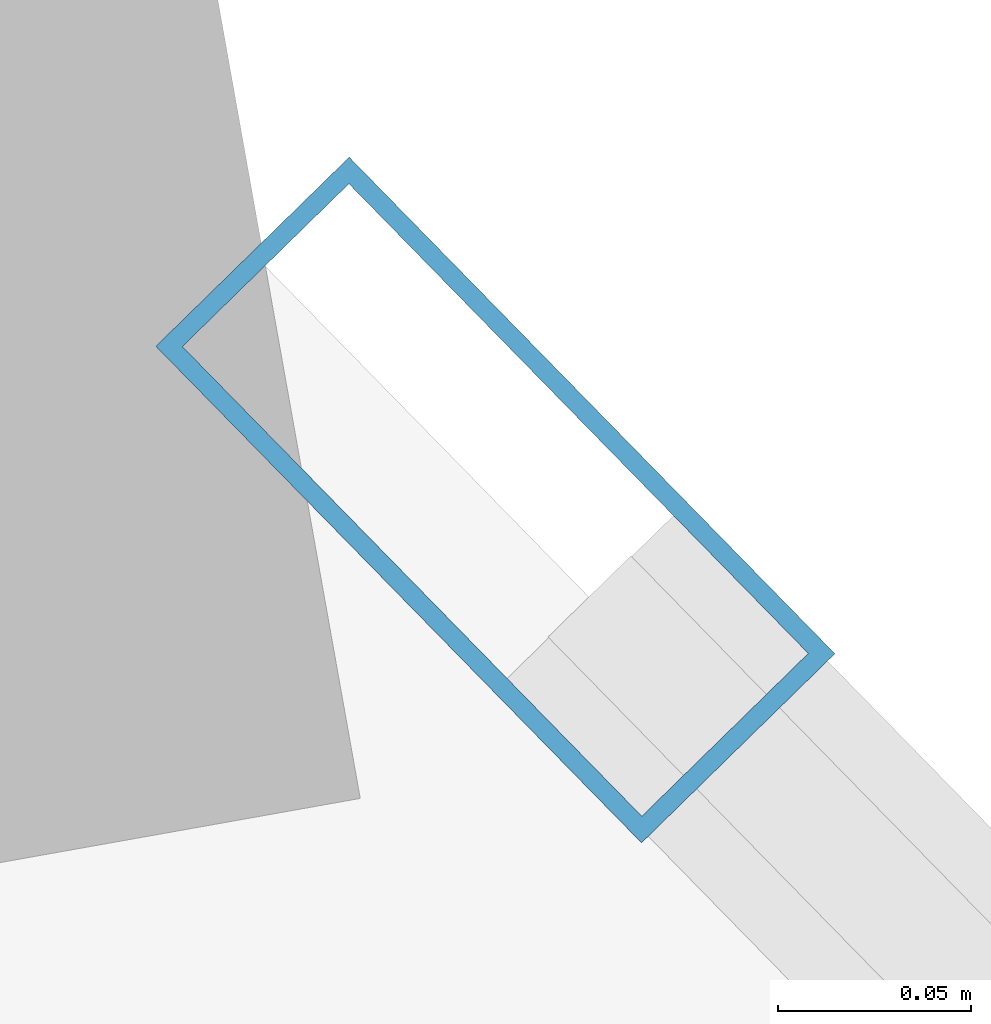
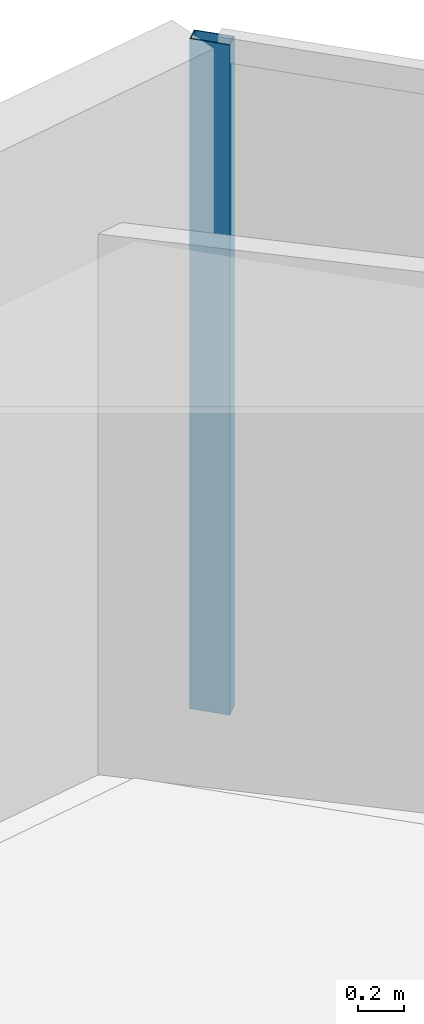
# One storey, part 14 of 23: 1 member, 1 element without a shape of its own.
"""IFC4 building model written with IfcOpenShell, lengths in metres."""

from ifc_helpers import new_model, si_unit, direction, frame, origin, origin_2d, place, context, subcontext, project, spatial, hollow_rectangle, extrude, material, layer, layer_set, material_profile, profile_set, type_object, element, aggregate, save


model = new_model("IFC4")

# Units and contexts
model_context = context("Model", 3, precision=1e-05, world=origin(), true_north=direction((0.0, 1.0)))
body_context = subcontext(model_context, "Body", "Model", "MODEL_VIEW")
ifc_project = project(units=[si_unit("LENGTHUNIT", "METRE"), si_unit("AREAUNIT", "SQUARE_METRE"), si_unit("VOLUMEUNIT", "CUBIC_METRE"), si_unit("PLANEANGLEUNIT", "RADIAN"), si_unit("MASSUNIT", "GRAM", prefix="KILO")], contexts=[model_context])

# Site, building, storey
site_placement = place(None, origin())
site = spatial("IfcSite", under=ifc_project, at=site_placement, CompositionType="ELEMENT")
building_placement = place(site_placement, origin())
building = spatial("IfcBuilding", under=site, at=building_placement, Name="Qianvela Tower", CompositionType="ELEMENT")
storey_placement = place(building_placement, frame((0.0, 0.0, 56.199951171875)))
storey = spatial("IfcBuildingStorey", under=building, at=storey_placement, Name="L13", CompositionType="ELEMENT", Elevation=56.199951171875)

# Curtain wall, member
ifc_material_1 = material(Name="Anodised Architectural Aluminium and Low-E Glass", Category="aluminium")
ifc_layer = layer(ifc_material_1, 0.179931640625)
ifc_layer_set = layer_set([ifc_layer], Name="Anodised Architectural Aluminium and Low-E Glass")
curtain_wall_type = type_object("IfcCurtainWallType", Name="CW-COLIV-Z12", PredefinedType="USERDEFINED", material=ifc_layer_set)
curtain_wall_placement = place(storey_placement, origin())
curtain_wall = element("IfcCurtainWall", 1, at=curtain_wall_placement, inside=storey, type_object=curtain_wall_type, Name="L13 CW-COLIV-Z12 Curtain Wall 02C", ObjectType="CURTAIN_WALL_SYSTEM", PredefinedType="USERDEFINED")
ifc_material_2 = material(Name="Anodised Architectural Aluminium 6063-T6", Category="aluminium")
ifc_material_profile = material_profile(ifc_material_2, hollow_rectangle(XDim=0.070068359375, YDim=0.179931640625, WallThickness=0.0048828125, at=origin_2d()), Name="ALU-MULL-70x180")
ifc_profile_set = profile_set([ifc_material_profile], Name="Anodised Architectural Aluminium 6063-T6")
member_type = type_object("IfcMemberType", Name="CW-COLIV-Z12-MULL", PredefinedType="MULLION", material=ifc_profile_set)
member_placement = place(storey_placement, frame((37.880126953125, 44.6318359375, 0.0), z_axis=(0.0, 0.0, 1.0), x_axis=(-0.714878952463, -0.69924822726, 0.0)))
member = element("IfcMember", 2, at=member_placement, type_object=member_type, Name="CW-3 mullion 2", PredefinedType="MULLION", context=body_context, shape_type="SweptSolid", body=[
    extrude(hollow_rectangle(XDim=0.070068359375, YDim=0.179931640625, WallThickness=0.0048828125, at=origin_2d()), origin(), (0.0, 0.0, 1.0), 3.52001953125),
])
aggregate(curtain_wall, [member])

save(model, "model.ifc")
